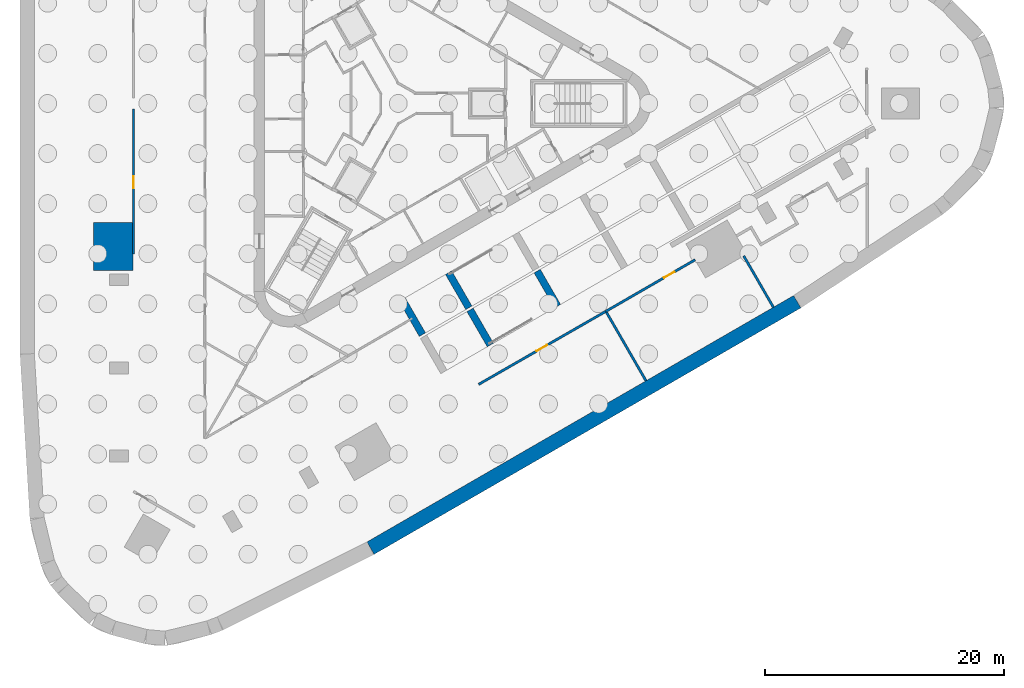
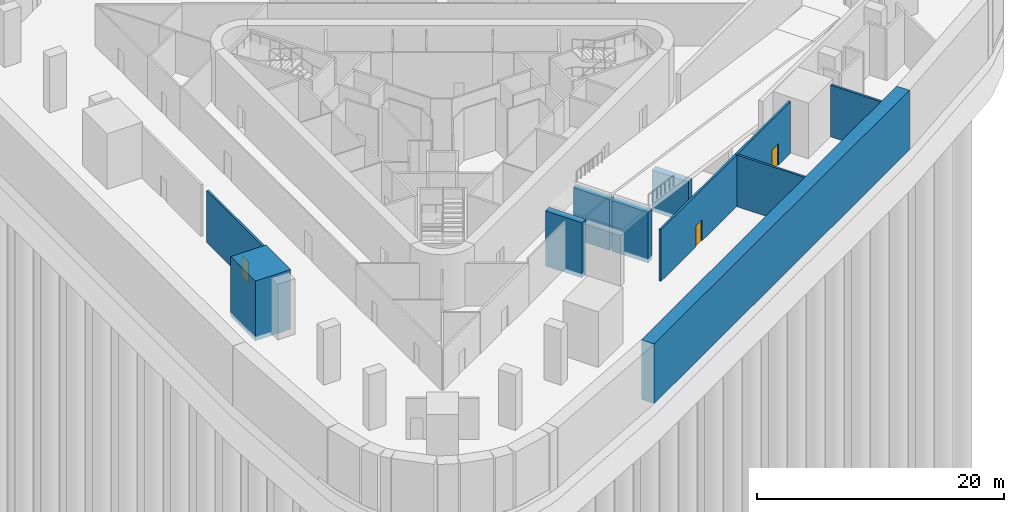
# One storey, part 4 of 13: 11 walls, 3 doors, 3 openings.
"""IFC4 building model written with IfcOpenShell, lengths in metres."""

from ifc_helpers import new_model, si_unit, direction, frame, frame_2d, origin, place, context, subcontext, project, spatial, polyline, rectangle, outline, extrude, material, layer, layer_set, type_object, element, fill, save


model = new_model("IFC4")

# Units and contexts
model_context = context("Model", 3, precision=1e-05, world=origin(), true_north=direction((0.0, 1.0)))
body_context = subcontext(model_context, "Body", "Model", "MODEL_VIEW")
ifc_project = project(units=[si_unit("LENGTHUNIT", "METRE"), si_unit("AREAUNIT", "SQUARE_METRE"), si_unit("VOLUMEUNIT", "CUBIC_METRE"), si_unit("PLANEANGLEUNIT", "RADIAN"), si_unit("MASSUNIT", "GRAM", prefix="KILO")], contexts=[model_context])

# Site, building, storey
site_placement = place(None, origin())
site = spatial("IfcSite", under=ifc_project, at=site_placement, CompositionType="ELEMENT")
building_placement = place(site_placement, origin())
building = spatial("IfcBuilding", under=site, at=building_placement, Name="Tanit Gate Tower", CompositionType="ELEMENT")
storey_placement = place(building_placement, frame((0.0, 0.0, -11.0)))
storey = spatial("IfcBuildingStorey", under=building, at=storey_placement, Name="B2", CompositionType="ELEMENT", Elevation=-11.0)

# Wall
ifc_material_1 = material(Name="Concrete C35/45", Category="concrete")
ifc_layer_1 = layer(ifc_material_1, 1.199951171875)
ifc_layer_set_1 = layer_set([ifc_layer_1], Name="DIAPHRAGM WALL 1200 C35/45")
wall_type_1 = type_object("IfcWallType", Name="DIAPHRAGM WALL 1200 C35/45", PredefinedType="SHEAR", material=ifc_layer_set_1)
wall_1_placement = place(storey_placement, frame((33.457763671875, -16.62548828125, -0.39990234375), z_axis=(0.0, 0.0, 1.0), x_axis=(-0.865989988988, -0.500061335211, 0.0)))
element("IfcWall", 1, at=wall_1_placement, inside=storey, type_object=wall_type_1, Name="DIAPHRAGM WALL", PredefinedType="SHEAR", context=body_context, shape_type="SweptSolid", body=[
    extrude(rectangle(XDim=41.324462890625, YDim=1.199951171875, at=frame_2d((20.662109375, 0.0))), origin(), (0.0, 0.0, 1.0), 5.89990234375),
])

# Wall, opening, door
ifc_material_2 = material(Name="Fire-rated gypsum board partition")
ifc_layer_2 = layer(ifc_material_2, 0.199951171875)
ifc_layer_set_2 = layer_set([ifc_layer_2], Name="INT-WALL-COMPARTMENT")
wall_type_2 = type_object("IfcWallType", Name="INT-WALL-COMPARTMENT", PredefinedType="PARTITIONING", material=ifc_layer_set_2)
wall_2_placement = place(storey_placement, frame((-22.199951171875, -0.469970703125, 0.0), z_axis=(0.0, 0.0, 1.0), x_axis=(0.0, -1.0, 0.0)))
wall_2 = element("IfcWall", 2, at=wall_2_placement, inside=storey, type_object=wall_type_2, Name="Wall Compartment W107", PredefinedType="PARTITIONING", context=body_context, shape_type="SweptSolid", body=[
    extrude(rectangle(XDim=12.159912109375, YDim=0.199951171875, at=frame_2d((6.080078125, 0.0))), origin(), (0.0, 0.0, 1.0), 5.10009765625),
])
opening_1_placement = place(wall_2_placement, frame((5.6298828125, 0.0, 0.0)))
opening_1 = element("IfcOpeningElement", 3, at=opening_1_placement, cuts=wall_2, Name="Opening F10-B2-44", PredefinedType="OPENING", context=body_context, shape_type="SweptSolid", body=[
    extrude(rectangle(XDim=1.0, YDim=2.10009765625, at=frame_2d((0.5, 1.050048828125))), frame((0.0, 0.10986328125, 0.0), z_axis=(0.0, -1.0, 0.0), x_axis=(1.0, 0.0, 0.0)), (0.0, 0.0, 1.0), 0.219970703125),
])
ifc_material_3 = material(Name="Fire-rated steel door leaf", Category="steel")
door_type = type_object("IfcDoorType", Name="INT-DOOR-FIRE-1000", OperationType="NOTDEFINED", PredefinedType="USERDEFINED", material=ifc_material_3)
door_1_placement = place(opening_1_placement, origin())
door_1 = element("IfcDoor", 4, at=door_1_placement, inside=storey, type_object=door_type, Name="Door F10-B2-44", ObjectType="FIRE DOOR", OperationType="SINGLE_SWING_RIGHT", OverallHeight=2.10009765625, OverallWidth=1.0, PredefinedType="USERDEFINED", context=body_context, shape_type="SweptSolid", body=[
    extrude(rectangle(XDim=1.0, YDim=2.10009765625, at=frame_2d((0.5, 1.050048828125))), frame((0.0, 0.02490234375, 0.0), z_axis=(0.0, -1.0, 0.0), x_axis=(1.0, 0.0, 0.0)), (0.0, 0.0, 1.0), 0.050048828125),
])
fill(opening_1, door_1)

wall_3_placement = place(storey_placement, frame((6.7392578125, -23.556396484375, 0.0), z_axis=(0.0, 0.0, 1.0), x_axis=(0.867232277188, 0.497903783279, 0.0)))
wall_3 = element("IfcWall", 5, at=wall_3_placement, inside=storey, type_object=wall_type_2, Name="Wall Compartment W124", PredefinedType="PARTITIONING", context=body_context, shape_type="SweptSolid", body=[
    extrude(rectangle(XDim=12.283447265625, YDim=0.199951171875, at=frame_2d((6.1416015625, 0.0))), origin(), (0.0, 0.0, 1.0), 5.10009765625),
])
opening_2_placement = place(wall_3_placement, frame((5.60009765625, 0.0, 0.0)))
opening_2 = element("IfcOpeningElement", 6, at=opening_2_placement, cuts=wall_3, Name="Opening F10-B2-46", PredefinedType="OPENING", context=body_context, shape_type="SweptSolid", body=[
    extrude(rectangle(XDim=1.0, YDim=2.10009765625, at=frame_2d((0.5, 1.050048828125))), frame((0.0, 0.10986328125, 0.0), z_axis=(0.0, -1.0, 0.0), x_axis=(1.0, 0.0, 0.0)), (0.0, 0.0, 1.0), 0.219970703125),
])
door_2_placement = place(opening_2_placement, origin())
door_2 = element("IfcDoor", 7, at=door_2_placement, inside=storey, type_object=door_type, Name="Door F10-B2-46", ObjectType="FIRE DOOR", OperationType="SINGLE_SWING_RIGHT", OverallHeight=2.10009765625, OverallWidth=1.0, PredefinedType="USERDEFINED", context=body_context, shape_type="SweptSolid", body=[
    extrude(rectangle(XDim=1.0, YDim=2.10009765625, at=frame_2d((0.5, 1.050048828125))), frame((0.0, 0.02490234375, 0.0), z_axis=(0.0, -1.0, 0.0), x_axis=(1.0, 0.0, 0.0)), (0.0, 0.0, 1.0), 0.050048828125),
])
fill(opening_2, door_2)

wall_4_placement = place(storey_placement, frame((17.391845703125, -17.440673828125, 0.0), z_axis=(0.0, 0.0, 1.0), x_axis=(0.866022182542, 0.500005579313, 0.0)))
wall_4 = element("IfcWall", 8, at=wall_4_placement, inside=storey, type_object=wall_type_2, Name="Wall Compartment W125", PredefinedType="PARTITIONING", context=body_context, shape_type="SweptSolid", body=[
    extrude(rectangle(XDim=8.65869140625, YDim=0.199951171875, at=frame_2d((4.329345703125, 0.0))), origin(), (0.0, 0.0, 1.0), 5.10009765625),
])
opening_3_placement = place(wall_4_placement, frame((5.64990234375, 0.0, 0.0)))
opening_3 = element("IfcOpeningElement", 9, at=opening_3_placement, cuts=wall_4, Name="Opening F10-B2-47", PredefinedType="OPENING", context=body_context, shape_type="SweptSolid", body=[
    extrude(rectangle(XDim=1.0, YDim=2.10009765625, at=frame_2d((0.5, 1.050048828125))), frame((0.0, 0.10986328125, 0.0), z_axis=(0.0, -1.0, 0.0), x_axis=(1.0, 0.0, 0.0)), (0.0, 0.0, 1.0), 0.219970703125),
])
door_3_placement = place(opening_3_placement, origin())
door_3 = element("IfcDoor", 10, at=door_3_placement, inside=storey, type_object=door_type, Name="Door F10-B2-47", ObjectType="FIRE DOOR", OperationType="SINGLE_SWING_LEFT", OverallHeight=2.10009765625, OverallWidth=1.0, PredefinedType="USERDEFINED", context=body_context, shape_type="SweptSolid", body=[
    extrude(rectangle(XDim=1.0, YDim=2.10009765625, at=frame_2d((0.5, 1.050048828125))), frame((0.0, 0.02490234375, 0.0), z_axis=(0.0, -1.0, 0.0), x_axis=(1.0, 0.0, 0.0)), (0.0, 0.0, 1.0), 0.050048828125),
])
fill(opening_3, door_3)

# Walls
wall_5_placement = place(storey_placement, frame((20.773193359375, -23.25732421875, 0.0), z_axis=(0.0, 0.0, 1.0), x_axis=(-0.499997729706, 0.866026714536, 0.0)))
element("IfcWall", 11, at=wall_5_placement, inside=storey, type_object=wall_type_2, Name="Wall Compartment W133", PredefinedType="PARTITIONING", context=body_context, shape_type="SweptSolid", body=[
    extrude(rectangle(XDim=6.6279296875, YDim=0.199951171875, at=frame_2d((3.31396484375, 0.0))), origin(), (0.0, 0.0, 1.0), 5.10009765625),
])
wall_6_placement = place(storey_placement, frame((31.45361328125, -17.08984375, 0.0), z_axis=(0.0, 0.0, 1.0), x_axis=(-0.49999297576, 0.866029459193, 0.0)))
element("IfcWall", 12, at=wall_6_placement, inside=storey, type_object=wall_type_2, Name="Wall Compartment W134", PredefinedType="PARTITIONING", context=body_context, shape_type="SweptSolid", body=[
    extrude(rectangle(XDim=4.9736328125, YDim=0.199951171875, at=frame_2d((2.48681640625, 0.0))), origin(), (0.0, 0.0, 1.0), 5.10009765625),
])
ifc_material_4 = material(Name="Concrete C60/75", Category="concrete")
ifc_layer_3 = layer(ifc_material_4, 4.0)
ifc_layer_set_3 = layer_set([ifc_layer_3], Name="PIER WALL 4000 C60/75")
wall_type_3 = type_object("IfcWallType", Name="PIER WALL 4000 C60/75", PredefinedType="SHEAR", material=ifc_layer_set_3)
wall_7_placement = place(storey_placement, frame((0.0, 0.0, -0.39990234375)))
element("IfcWall", 13, at=wall_7_placement, inside=storey, type_object=wall_type_3, Name="PIER WALL", PredefinedType="SHEAR", context=body_context, shape_type="SweptSolid", body=[
    extrude(outline(polyline([(-25.553466796875, -10.0), (-25.553466796875, -14.0), (-22.25341796875, -14.0), (-22.25341796875, -10.0), (-25.553466796875, -10.0)])), origin(), (0.0, 0.0, 1.0), 5.89990234375),
])
ifc_material_5 = material(Name="Concrete C40/50", Category="concrete")
ifc_layer_4 = layer(ifc_material_5, 0.60009765625)
ifc_layer_set_4 = layer_set([ifc_layer_4], Name="RAMP SUPPORT WALL 600 C40/50")
wall_type_4 = type_object("IfcWallType", Name="RAMP SUPPORT WALL 600 C40/50", PredefinedType="STANDARD", material=ifc_layer_set_4)
wall_8_placement = place(storey_placement, frame((4.21923828125, -14.191650390625, -0.39990234375), z_axis=(0.0, 0.0, 1.0), x_axis=(0.499977295307, -0.866038511948, 0.0)))
element("IfcWall", 14, at=wall_8_placement, inside=storey, type_object=wall_type_4, Name="RAMP SUPPORT WALL", PredefinedType="STANDARD", context=body_context, shape_type="SweptSolid", body=[
    extrude(rectangle(XDim=3.400146484375, YDim=0.60009765625, at=frame_2d((1.7001953125, 0.0))), origin(), (0.0, 0.0, 1.0), 5.021240234375),
])
wall_9_placement = place(storey_placement, frame((0.322021484375, -16.441650390625, -0.39990234375), z_axis=(0.0, 0.0, 1.0), x_axis=(0.500062241894, -0.865989465428, 0.0)))
element("IfcWall", 15, at=wall_9_placement, inside=storey, type_object=wall_type_4, Name="RAMP SUPPORT WALL", PredefinedType="STANDARD", context=body_context, shape_type="SweptSolid", body=[
    extrude(rectangle(XDim=3.39990234375, YDim=0.60009765625, at=frame_2d((1.699951171875, 0.0))), origin(), (0.0, 0.0, 1.0), 5.449951171875),
])
wall_10_placement = place(storey_placement, frame((11.6484375, -14.059326171875, -0.39990234375), z_axis=(0.0, 0.0, 1.0), x_axis=(0.499977295307, -0.866038511948, 0.0)))
element("IfcWall", 16, at=wall_10_placement, inside=storey, type_object=wall_type_4, Name="RAMP SUPPORT WALL", PredefinedType="STANDARD", context=body_context, shape_type="SweptSolid", body=[
    extrude(rectangle(XDim=3.400146484375, YDim=0.60009765625, at=frame_2d((1.7001953125, 0.0))), origin(), (0.0, 0.0, 1.0), 4.0927734375),
])
wall_11_placement = place(storey_placement, frame((6.019287109375, -17.309326171875, -0.39990234375), z_axis=(0.0, 0.0, 1.0), x_axis=(0.499977295307, -0.866038511948, 0.0)))
element("IfcWall", 17, at=wall_11_placement, inside=storey, type_object=wall_type_4, Name="RAMP SUPPORT WALL", PredefinedType="STANDARD", context=body_context, shape_type="SweptSolid", body=[
    extrude(rectangle(XDim=3.400146484375, YDim=0.60009765625, at=frame_2d((1.7001953125, 0.0))), origin(), (0.0, 0.0, 1.0), 5.021240234375),
])

save(model, "model.ifc")
